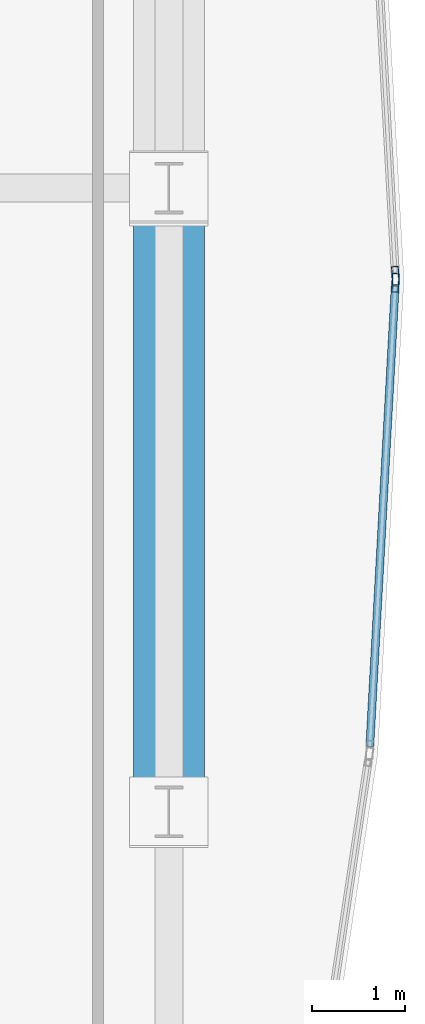
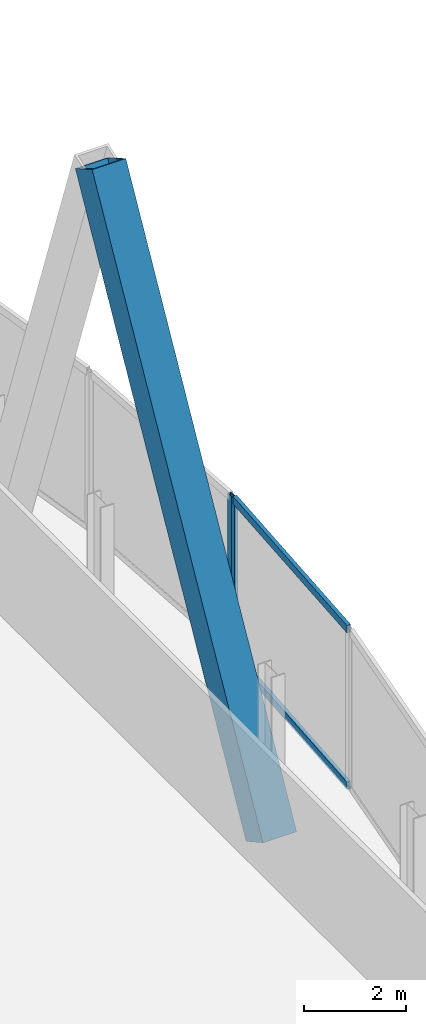
# One storey, part 23 of 36: 5 members, 2 elements without a shape of their own.
"""IFC4 building model written with IfcOpenShell, lengths in metres."""

import ifcopenshell
import ifcopenshell.guid

model = None  # the IFC model being written
_history = None  # IfcOwnerHistory: only IFC2X3 demands one
_inside = {}  # id of a spatial element -> (the spatial element, [elements in it])
_under = {}  # id of a project, library or spatial element -> (it, [spatial elements below it])
_declared = {}  # id of a project -> (the project, [libraries it declares])
_typed = {}  # id of a type object -> (the type object, [elements of that type])
_made_of = {}  # id of a material, layer set ... -> (it, [elements and type objects made of it])


def new_model(schema):
    """Start an empty IFC model of exactly this schema.

    Asked for "IFC4X3", IfcOpenShell would pick the latest addendum, in which some entities
    have other attributes; the version numbers below select the first issue.
    IFC2X3 requires an IfcOwnerHistory on every rooted entity: one is made here for all.
    """
    global model, _history
    if schema == "IFC4X3":
        model = ifcopenshell.file(schema_version=(4, 3, 0, 0))
    else:
        model = ifcopenshell.file(schema=schema)
    _inside.clear()
    _under.clear()
    _declared.clear()
    _typed.clear()
    _made_of.clear()
    _history = None
    if model.schema == "IFC2X3":
        org = make("IfcOrganization", Name="unknown")
        user = make(
            "IfcPersonAndOrganization",
            ThePerson=make("IfcPerson", FamilyName="unknown"),
            TheOrganization=org,
        )
        app = make(
            "IfcApplication",
            ApplicationDeveloper=org,
            Version="unknown",
            ApplicationFullName="unknown",
            ApplicationIdentifier="unknown",
        )
        _history = make(
            "IfcOwnerHistory",
            OwningUser=user,
            OwningApplication=app,
            ChangeAction="ADDED",
            CreationDate=0,
        )
    return model


def make(cls, **values):
    """One entity of the class cls with the attributes given. An attribute that is None is left unset."""
    return model.create_entity(
        cls, **{name: value for name, value in values.items() if value is not None}
    )


def rooted(cls, **values):
    """An entity with a GlobalId (a new one), such as an element, a storey or a relation."""
    return make(cls, GlobalId=ifcopenshell.guid.new(), OwnerHistory=_history, **values)


def si_unit(unit_type, name, prefix=None):
    """IfcSIUnit, for example si_unit("LENGTHUNIT", "METRE", prefix="MILLI")."""
    return make("IfcSIUnit", UnitType=unit_type, Prefix=prefix, Name=name)


def assignment(units):
    """IfcUnitAssignment: the units of a project."""
    return None if units is None else make("IfcUnitAssignment", Units=units)


def point(xyz):
    """IfcCartesianPoint."""
    return None if xyz is None else make("IfcCartesianPoint", Coordinates=xyz)


def direction(xyz):
    """IfcDirection."""
    return None if xyz is None else make("IfcDirection", DirectionRatios=xyz)


def frame(location, z_axis=None, x_axis=None):
    """IfcAxis2Placement3D, a coordinate frame: its origin and axes. An axis left out is left unset."""
    return make(
        "IfcAxis2Placement3D",
        Location=point(location),
        Axis=direction(z_axis),
        RefDirection=direction(x_axis),
    )


def frame_2d(location, x_axis=None):
    """IfcAxis2Placement2D, a coordinate frame in the plane: its origin and x axis."""
    return make(
        "IfcAxis2Placement2D", Location=point(location), RefDirection=direction(x_axis)
    )


def origin():
    """The frame at (0, 0, 0) with its axes left unset."""
    return frame((0.0, 0.0, 0.0))


def origin_2d():
    """The frame at (0, 0) in the plane with its x axis left unset."""
    return frame_2d((0.0, 0.0))


def place(relative_to, where):
    """IfcLocalPlacement: puts the frame where relative to a parent placement (None: the world)."""
    return make(
        "IfcLocalPlacement", PlacementRelTo=relative_to, RelativePlacement=where
    )


def context(
    kind, dimensions, precision=None, world=None, true_north=None, identifier=None
):
    """IfcGeometricRepresentationContext, for example the 3D "Model" context."""
    return make(
        "IfcGeometricRepresentationContext",
        ContextIdentifier=identifier,
        ContextType=kind,
        CoordinateSpaceDimension=dimensions,
        Precision=precision,
        WorldCoordinateSystem=world,
        TrueNorth=true_north,
    )


def subcontext(parent, identifier, kind, view, scale=None):
    """IfcGeometricRepresentationSubContext, for example "Body" below "Model"."""
    return make(
        "IfcGeometricRepresentationSubContext",
        ContextIdentifier=identifier,
        ContextType=kind,
        ParentContext=parent,
        TargetScale=scale,
        TargetView=view,
    )


def project(units=None, contexts=None):
    """IfcProject with its units and contexts."""
    return rooted(
        "IfcProject",
        Name="project",
        RepresentationContexts=contexts,
        UnitsInContext=assignment(units),
    )


def spatial(cls, under=None, at=None, **own):
    """A site, building, storey or space (cls), placed at a placement, below another one or the project."""
    s = rooted(cls, ObjectPlacement=at, **own)
    if under is not None:
        _under.setdefault(under.id(), (under, []))[1].append(s)
    return s


def profile(cls, at=None, kind="AREA", **sizes):
    """A parametric profile (cls). Its sizes go by their IFC names, for example OverallWidth=200.0."""
    return make(cls, ProfileType=kind, Position=at, **sizes)


def hollow_rectangle(**sizes):
    """IfcRectangleHollowProfileDef."""
    return profile("IfcRectangleHollowProfileDef", **sizes)


def extrude(swept, where, along, depth):
    """IfcExtrudedAreaSolid: the profile swept, set in the frame where, extruded along a direction by depth."""
    return make(
        "IfcExtrudedAreaSolid",
        SweptArea=swept,
        Position=where,
        ExtrudedDirection=direction(along),
        Depth=depth,
    )


def shape(context_of_items, identifier, shape_type, items):
    """IfcShapeRepresentation: the items that make up one representation, for example the "Body"."""
    return make(
        "IfcShapeRepresentation",
        ContextOfItems=context_of_items,
        RepresentationIdentifier=identifier,
        RepresentationType=shape_type,
        Items=items,
    )


def material(Name=None, Category=None):
    """IfcMaterial."""
    return make("IfcMaterial", Name=Name, Category=Category)


def material_profile(
    of_material, cross_section, Name=None, Category=None, Priority=None
):
    """IfcMaterialProfile: a cross section and its material."""
    return make(
        "IfcMaterialProfile",
        Name=Name,
        Material=of_material,
        Profile=cross_section,
        Priority=Priority,
        Category=Category,
    )


def profile_set(profiles, Name=None, composite=None):
    """IfcMaterialProfileSet."""
    return make(
        "IfcMaterialProfileSet",
        Name=Name,
        MaterialProfiles=profiles,
        CompositeProfile=composite,
    )


def made_of(thing, what):
    """Note that an element or type object is made of a material, layer set ...; save() writes the relation."""
    if what is not None:
        _made_of.setdefault(what.id(), (what, []))[1].append(thing)
    return thing


def type_object(cls, material=None, **own):
    """A type object (cls), such as IfcWallType, which elements share."""
    return made_of(rooted(cls, **own), material)


def element(
    cls,
    number,
    at=None,
    inside=None,
    cuts=None,
    type_object=None,
    material=None,
    context=None,
    identifier="Body",
    shape_type=None,
    held_by="IfcProductDefinitionShape",
    body=None,
    shapes=None,
    **own,
):
    """One element of the class cls, such as IfcWall. Its Tag is "e" and its number.

    at: its placement. inside: the storey or other place that contains it. cuts: it is an
    opening in that element (IfcRelVoidsElement). A single representation is given by context,
    identifier, shape_type and body (its items); several are given by shapes. held_by: the class
    of the entity that holds the representations. save() writes the other relations.
    """
    e = rooted(cls, Tag="e%d" % number, ObjectPlacement=at, **own)
    if body is not None:
        shapes = [shape(context, identifier, shape_type, body)]
    if shapes is not None:
        e.Representation = make(held_by, Representations=shapes)
    if inside is not None:
        _inside.setdefault(inside.id(), (inside, []))[1].append(e)
    if cuts is not None:
        rooted(
            "IfcRelVoidsElement", RelatingBuildingElement=cuts, RelatedOpeningElement=e
        )
    if type_object is not None:
        _typed.setdefault(type_object.id(), (type_object, []))[1].append(e)
    return made_of(e, material)


def aggregate(whole, parts):
    """IfcRelAggregates: a whole, such as a stair, and the parts it consists of."""
    return rooted("IfcRelAggregates", RelatingObject=whole, RelatedObjects=parts)


def save(model, path):
    """Write the relations noted so far, then the file.

    IfcRelAggregates (storeys below a building ...), IfcRelContainedInSpatialStructure (elements
    in a storey), IfcRelDefinesByType, IfcRelAssociatesMaterial and IfcRelDeclares: one each for
    every whole, place, type object, material and project.
    """
    for whole, parts in _under.values():
        aggregate(whole, parts)
    for where, things in _inside.values():
        rooted(
            "IfcRelContainedInSpatialStructure",
            RelatedElements=things,
            RelatingStructure=where,
        )
    for kind, things in _typed.values():
        rooted("IfcRelDefinesByType", RelatedObjects=things, RelatingType=kind)
    for what, things in _made_of.values():
        rooted("IfcRelAssociatesMaterial", RelatedObjects=things, RelatingMaterial=what)
    for by, libraries in _declared.values():
        rooted("IfcRelDeclares", RelatingContext=by, RelatedDefinitions=libraries)
    model.write(path)


model = new_model("IFC4")

# Units and contexts
model_context = context("Model", 3, precision=1e-05, world=origin(), true_north=direction((0.0, 1.0)))
body_context = subcontext(model_context, "Body", "Model", "MODEL_VIEW")
ifc_project = project(units=[si_unit("LENGTHUNIT", "METRE"), si_unit("AREAUNIT", "SQUARE_METRE"), si_unit("VOLUMEUNIT", "CUBIC_METRE"), si_unit("PLANEANGLEUNIT", "RADIAN"), si_unit("MASSUNIT", "GRAM", prefix="KILO")], contexts=[model_context])

# Site, building, storey
site_placement = place(None, origin())
site = spatial("IfcSite", under=ifc_project, at=site_placement, CompositionType="ELEMENT")
building_placement = place(site_placement, origin())
building = spatial("IfcBuilding", under=site, at=building_placement, Name="Khoronbel Lancet Exchange", CompositionType="ELEMENT")
storey_placement = place(building_placement, frame((0.0, 0.0, 49.800048828125)))
storey = spatial("IfcBuildingStorey", under=building, at=storey_placement, Name="L11", CompositionType="ELEMENT", Elevation=49.800048828125)

# Curtain wall, member
ifc_material_1 = material(Name="Low-E Solar Control Insulating Glass", Category="glass")
curtain_wall_type = type_object("IfcCurtainWallType", Name="CW-4", PredefinedType="NOTDEFINED", material=ifc_material_1)
curtain_wall_1_placement = place(storey_placement, origin())
curtain_wall_1 = element("IfcCurtainWall", 1, at=curtain_wall_1_placement, inside=storey, type_object=curtain_wall_type, Name="Unitised curtain wall CW-L11-E19", PredefinedType="NOTDEFINED")
ifc_material_2 = material(Name="Bronze-Anodised Aluminium 6063-T6", Category="aluminium")
ifc_material_profile_1 = material_profile(ifc_material_2, hollow_rectangle(XDim=0.074951171875, YDim=0.199951171875, WallThickness=0.0048828125, at=origin_2d()), Name="ALU MULLION 75x200")
ifc_profile_set_1 = profile_set([ifc_material_profile_1], Name="Bronze-Anodised Aluminium 6063-T6")
member_type_1 = type_object("IfcMemberType", Name="MEM-CWM2", PredefinedType="MULLION", material=ifc_profile_set_1)
member_1_placement = place(storey_placement, frame((74.053955078125, 30.487548828125, 0.0), z_axis=(0.0, 0.0, 1.0), x_axis=(0.998477681335, 0.05515722869, 0.0)))
member_1 = element("IfcMember", 2, at=member_1_placement, type_object=member_type_1, Name="CW4 mullion 2", PredefinedType="MULLION", context=body_context, shape_type="SweptSolid", body=[
    extrude(hollow_rectangle(XDim=0.074951171875, YDim=0.199951171875, WallThickness=0.0048828125, at=origin_2d()), origin(), (0.0, 0.0, 1.0), 3.820068359375),
])
aggregate(curtain_wall_1, [member_1])

# Curtain wall, members
curtain_wall_2_placement = place(storey_placement, origin())
curtain_wall_2 = element("IfcCurtainWall", 3, at=curtain_wall_2_placement, inside=storey, type_object=curtain_wall_type, Name="Unitised curtain wall CW-L11-E20", PredefinedType="NOTDEFINED")
member_2_placement = place(storey_placement, frame((74.053955078125, 30.41259765625, 0.0), z_axis=(0.0, 0.0, 1.0), x_axis=(0.998477681335, -0.05515722869, 0.0)))
member_2 = element("IfcMember", 4, at=member_2_placement, type_object=member_type_1, Name="CW4 mullion 1", PredefinedType="MULLION", context=body_context, shape_type="SweptSolid", body=[
    extrude(hollow_rectangle(XDim=0.074951171875, YDim=0.199951171875, WallThickness=0.0048828125, at=origin_2d()), origin(), (0.0, 0.0, 1.0), 3.820068359375),
])
ifc_material_profile_2 = material_profile(ifc_material_2, hollow_rectangle(XDim=0.0849609375, YDim=0.179931640625, WallThickness=0.0048828125, at=origin_2d()), Name="ALU TRANSOM 85x180")
ifc_profile_set_2 = profile_set([ifc_material_profile_2], Name="Bronze-Anodised Aluminium 6063-T6")
member_type_2 = type_object("IfcMemberType", Name="MEM-CWT1", PredefinedType="USERDEFINED", material=ifc_profile_set_2)
member_3_placement = place(storey_placement, frame((74.052001953125, 30.375, 0.04248046875), z_axis=(-0.05514649467, -0.998478274238, 0.0), x_axis=(0.998478274238, -0.05514649467, 0.0)))
member_3 = element("IfcMember", 5, at=member_3_placement, type_object=member_type_2, Name="CW4 transom 1.1", ObjectType="TRANSOM", PredefinedType="USERDEFINED", context=body_context, shape_type="SweptSolid", body=[
    extrude(hollow_rectangle(XDim=0.0849609375, YDim=0.179931640625, WallThickness=0.0048828125, at=origin_2d()), origin(), (0.0, 0.0, 1.0), 4.931884765625),
])
member_4_placement = place(storey_placement, frame((74.052001953125, 30.375, 3.77734375), z_axis=(-0.05514649467, -0.998478274238, 0.0), x_axis=(0.998478274238, -0.05514649467, 0.0)))
member_4 = element("IfcMember", 6, at=member_4_placement, type_object=member_type_2, Name="CW4 transom 1.2", ObjectType="TRANSOM", PredefinedType="USERDEFINED", context=body_context, shape_type="SweptSolid", body=[
    extrude(hollow_rectangle(XDim=0.0849609375, YDim=0.179931640625, WallThickness=0.0048828125, at=origin_2d()), origin(), (0.0, 0.0, 1.0), 4.931884765625),
])
aggregate(curtain_wall_2, [member_2, member_3, member_4])

# Member
ifc_material_3 = material(Name="Steel S460", Category="steel")
ifc_material_profile_3 = material_profile(ifc_material_3, hollow_rectangle(XDim=0.760009765625, YDim=0.760009765625, WallThickness=0.054931640625, at=origin_2d()), Name="BOX 760x760x55")
ifc_profile_set_3 = profile_set([ifc_material_profile_3], Name="Steel S460")
member_type_3 = type_object("IfcMemberType", Name="MEM-MB1", PredefinedType="BRACE", material=ifc_profile_set_3)
member_5_placement = place(storey_placement, frame((71.6298828125, 24.75, 0.0), z_axis=(0.0, 0.486109322328, 0.873898007061), x_axis=(-1.0, 0.0, 0.0)))
element("IfcMember", 7, at=member_5_placement, inside=storey, type_object=member_type_3, Name="Perimeter lancet brace tier 3 E-P-L", PredefinedType="BRACE", context=body_context, shape_type="SweptSolid", body=[
    extrude(hollow_rectangle(XDim=0.760009765625, YDim=0.760009765625, WallThickness=0.054931640625, at=origin_2d()), origin(), (0.0, 0.0, 1.0), 13.731689453125),
])

save(model, "model.ifc")
